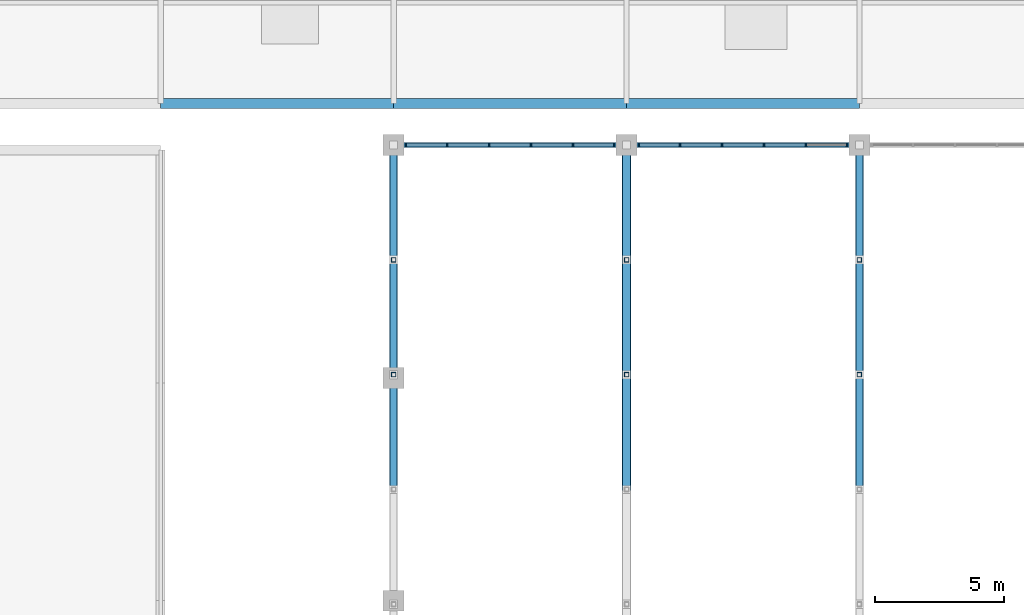
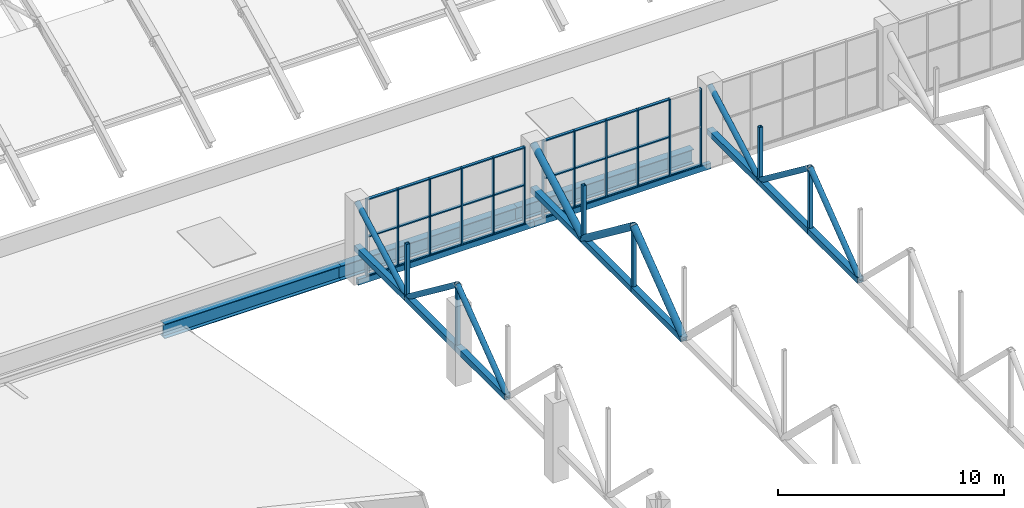
# One storey, part 21 of 103: 64 members, 5 beams, 2 elements without a shape of their own.
"""IFC4 building model written with IfcOpenShell, lengths in metres."""

from ifc_helpers import new_model, si_unit, direction, frame, origin, origin_2d, place, context, subcontext, project, spatial, rectangle, hollow_rectangle, hollow_circle, i_section, extrude, material, layer, layer_set, material_profile, profile_set, type_object, element, aggregate, save


model = new_model("IFC4")

# Units and contexts
model_context = context("Model", 3, precision=1e-05, world=origin(), true_north=direction((0.0, 1.0)))
body_context = subcontext(model_context, "Body", "Model", "MODEL_VIEW")
ifc_project = project(units=[si_unit("LENGTHUNIT", "METRE"), si_unit("AREAUNIT", "SQUARE_METRE"), si_unit("VOLUMEUNIT", "CUBIC_METRE"), si_unit("PLANEANGLEUNIT", "RADIAN"), si_unit("MASSUNIT", "GRAM", prefix="KILO")], contexts=[model_context])

# Site, building, storey
site_placement = place(None, origin())
site = spatial("IfcSite", under=ifc_project, at=site_placement, CompositionType="ELEMENT")
building_placement = place(site_placement, origin())
building = spatial("IfcBuilding", under=site, at=building_placement, Name="Cazmaro Siding Exhibition Halls", CompositionType="ELEMENT")
storey_placement = place(building_placement, frame((0.0, 0.0, 16.5)))
storey = spatial("IfcBuildingStorey", under=building, at=storey_placement, Name="L03", CompositionType="ELEMENT", Elevation=16.5)

# Curtain wall, members
ifc_material_1 = material(Name="Anodized Bronze Aluminum and Solar-Control Low-E Glazing", Category="aluminium")
ifc_layer = layer(ifc_material_1, 0.159912109375)
ifc_layer_set = layer_set([ifc_layer], Name="Anodized Bronze Aluminum and Solar-Control Low-E Glazing")
curtain_wall_type = type_object("IfcCurtainWallType", Name="CWS-04", PredefinedType="USERDEFINED", material=ifc_layer_set)
curtain_wall_1_placement = place(storey_placement, origin())
curtain_wall_1 = element("IfcCurtainWall", 1, at=curtain_wall_1_placement, inside=storey, type_object=curtain_wall_type, Name="Clerestory Curtain Wall CWS-04 CW-081", ObjectType="CLERESTORY CURTAIN WALL", PredefinedType="USERDEFINED")
ifc_material_2 = material(Name="Anodized Bronze Extruded Aluminum", Category="aluminium")
ifc_material_profile_1 = material_profile(ifc_material_2, rectangle(XDim=0.159912109375, YDim=0.06005859375, at=origin_2d()), Name="CWM-04")
ifc_profile_set_1 = profile_set([ifc_material_profile_1], Name="Anodized Bronze Extruded Aluminum")
member_type_1 = type_object("IfcMemberType", Name="CWM-04", PredefinedType="MULLION", material=ifc_profile_set_1)
member_1_placement = place(storey_placement, frame((80.52490234375, 53.60009765625, 0.0), z_axis=(0.0, 0.0, 1.0), x_axis=(0.0, -1.0, 0.0)))
member_1 = element("IfcMember", 2, at=member_1_placement, type_object=member_type_1, Name="CWS-04 mullion 1", PredefinedType="MULLION", context=body_context, shape_type="SweptSolid", body=[
    extrude(rectangle(XDim=0.159912109375, YDim=0.06005859375, at=origin_2d()), origin(), (0.0, 0.0, 1.0), 4.14990234375),
])
member_2_placement = place(storey_placement, frame((78.93310546875, 53.60009765625, 0.0), z_axis=(0.0, 0.0, 1.0), x_axis=(0.0, -1.0, 0.0)))
member_2 = element("IfcMember", 3, at=member_2_placement, type_object=member_type_1, Name="CWS-04 mullion 2", PredefinedType="MULLION", context=body_context, shape_type="SweptSolid", body=[
    extrude(rectangle(XDim=0.159912109375, YDim=0.06005859375, at=origin_2d()), origin(), (0.0, 0.0, 1.0), 4.14990234375),
])
member_3_placement = place(storey_placement, frame((77.31103515625, 53.60009765625, 0.0), z_axis=(0.0, 0.0, 1.0), x_axis=(0.0, -1.0, 0.0)))
member_3 = element("IfcMember", 4, at=member_3_placement, type_object=member_type_1, Name="CWS-04 mullion 3", PredefinedType="MULLION", context=body_context, shape_type="SweptSolid", body=[
    extrude(rectangle(XDim=0.159912109375, YDim=0.06005859375, at=origin_2d()), origin(), (0.0, 0.0, 1.0), 4.14990234375),
])
member_4_placement = place(storey_placement, frame((75.68896484375, 53.60009765625, 0.0), z_axis=(0.0, 0.0, 1.0), x_axis=(0.0, -1.0, 0.0)))
member_4 = element("IfcMember", 5, at=member_4_placement, type_object=member_type_1, Name="CWS-04 mullion 4", PredefinedType="MULLION", context=body_context, shape_type="SweptSolid", body=[
    extrude(rectangle(XDim=0.159912109375, YDim=0.06005859375, at=origin_2d()), origin(), (0.0, 0.0, 1.0), 4.14990234375),
])
member_5_placement = place(storey_placement, frame((74.06689453125, 53.60009765625, 0.0), z_axis=(0.0, 0.0, 1.0), x_axis=(0.0, -1.0, 0.0)))
member_5 = element("IfcMember", 6, at=member_5_placement, type_object=member_type_1, Name="CWS-04 mullion 5", PredefinedType="MULLION", context=body_context, shape_type="SweptSolid", body=[
    extrude(rectangle(XDim=0.159912109375, YDim=0.06005859375, at=origin_2d()), origin(), (0.0, 0.0, 1.0), 4.14990234375),
])
member_6_placement = place(storey_placement, frame((72.47509765625, 53.60009765625, 0.0), z_axis=(0.0, 0.0, 1.0), x_axis=(0.0, -1.0, 0.0)))
member_6 = element("IfcMember", 7, at=member_6_placement, type_object=member_type_1, Name="CWS-04 mullion 6", PredefinedType="MULLION", context=body_context, shape_type="SweptSolid", body=[
    extrude(rectangle(XDim=0.159912109375, YDim=0.06005859375, at=origin_2d()), origin(), (0.0, 0.0, 1.0), 4.14990234375),
])

curtain_wall_2_placement = place(storey_placement, origin())
curtain_wall_2 = element("IfcCurtainWall", 8, at=curtain_wall_2_placement, inside=storey, type_object=curtain_wall_type, Name="Clerestory Curtain Wall CWS-04 CW-083", ObjectType="CLERESTORY CURTAIN WALL", PredefinedType="USERDEFINED")
member_7_placement = place(storey_placement, frame((89.52490234375, 53.60009765625, 0.0), z_axis=(0.0, 0.0, 1.0), x_axis=(0.0, -1.0, 0.0)))
member_7 = element("IfcMember", 9, at=member_7_placement, type_object=member_type_1, Name="CWS-04 mullion 1", PredefinedType="MULLION", context=body_context, shape_type="SweptSolid", body=[
    extrude(rectangle(XDim=0.159912109375, YDim=0.06005859375, at=origin_2d()), origin(), (0.0, 0.0, 1.0), 4.14990234375),
])
member_8_placement = place(storey_placement, frame((87.93310546875, 53.60009765625, 0.0), z_axis=(0.0, 0.0, 1.0), x_axis=(0.0, -1.0, 0.0)))
member_8 = element("IfcMember", 10, at=member_8_placement, type_object=member_type_1, Name="CWS-04 mullion 2", PredefinedType="MULLION", context=body_context, shape_type="SweptSolid", body=[
    extrude(rectangle(XDim=0.159912109375, YDim=0.06005859375, at=origin_2d()), origin(), (0.0, 0.0, 1.0), 4.14990234375),
])
member_9_placement = place(storey_placement, frame((86.31103515625, 53.60009765625, 0.0), z_axis=(0.0, 0.0, 1.0), x_axis=(0.0, -1.0, 0.0)))
member_9 = element("IfcMember", 11, at=member_9_placement, type_object=member_type_1, Name="CWS-04 mullion 3", PredefinedType="MULLION", context=body_context, shape_type="SweptSolid", body=[
    extrude(rectangle(XDim=0.159912109375, YDim=0.06005859375, at=origin_2d()), origin(), (0.0, 0.0, 1.0), 4.14990234375),
])
member_10_placement = place(storey_placement, frame((84.68896484375, 53.60009765625, 0.0), z_axis=(0.0, 0.0, 1.0), x_axis=(0.0, -1.0, 0.0)))
member_10 = element("IfcMember", 12, at=member_10_placement, type_object=member_type_1, Name="CWS-04 mullion 4", PredefinedType="MULLION", context=body_context, shape_type="SweptSolid", body=[
    extrude(rectangle(XDim=0.159912109375, YDim=0.06005859375, at=origin_2d()), origin(), (0.0, 0.0, 1.0), 4.14990234375),
])
member_11_placement = place(storey_placement, frame((83.06689453125, 53.60009765625, 0.0), z_axis=(0.0, 0.0, 1.0), x_axis=(0.0, -1.0, 0.0)))
member_11 = element("IfcMember", 13, at=member_11_placement, type_object=member_type_1, Name="CWS-04 mullion 5", PredefinedType="MULLION", context=body_context, shape_type="SweptSolid", body=[
    extrude(rectangle(XDim=0.159912109375, YDim=0.06005859375, at=origin_2d()), origin(), (0.0, 0.0, 1.0), 4.14990234375),
])
member_12_placement = place(storey_placement, frame((81.47509765625, 53.60009765625, 0.0), z_axis=(0.0, 0.0, 1.0), x_axis=(0.0, -1.0, 0.0)))
member_12 = element("IfcMember", 14, at=member_12_placement, type_object=member_type_1, Name="CWS-04 mullion 6", PredefinedType="MULLION", context=body_context, shape_type="SweptSolid", body=[
    extrude(rectangle(XDim=0.159912109375, YDim=0.06005859375, at=origin_2d()), origin(), (0.0, 0.0, 1.0), 4.14990234375),
])

# Member
ifc_material_3 = material(Name="Anodized Bronze Extruded Aluminum", Category="aluminium")
ifc_material_profile_2 = material_profile(ifc_material_3, rectangle(XDim=0.139892578125, YDim=0.06005859375, at=origin_2d()), Name="CWT-04")
ifc_profile_set_2 = profile_set([ifc_material_profile_2], Name="Anodized Bronze Extruded Aluminum")
member_type_2 = type_object("IfcMemberType", Name="CWT-04", PredefinedType="MULLION", material=ifc_profile_set_2)
member_13_placement = place(storey_placement, frame((80.4951171875, 53.60009765625, 0.030029296875), z_axis=(-1.0, 0.0, 0.0), x_axis=(0.0, -1.0, 0.0)))
member_13 = element("IfcMember", 15, at=member_13_placement, type_object=member_type_2, Name="CWS-04 transom 1.1", ObjectType="TRANSOM", PredefinedType="USERDEFINED", context=body_context, shape_type="SweptSolid", body=[
    extrude(rectangle(XDim=0.139892578125, YDim=0.06005859375, at=origin_2d()), origin(), (0.0, 0.0, 1.0), 1.5322265625),
])

member_14_placement = place(storey_placement, frame((80.4951171875, 53.60009765625, 2.10009765625), z_axis=(-1.0, 0.0, 0.0), x_axis=(0.0, -1.0, 0.0)))
member_14 = element("IfcMember", 16, at=member_14_placement, type_object=member_type_2, Name="CWS-04 transom 1.2", ObjectType="TRANSOM", PredefinedType="USERDEFINED", context=body_context, shape_type="SweptSolid", body=[
    extrude(rectangle(XDim=0.139892578125, YDim=0.06005859375, at=origin_2d()), origin(), (0.0, 0.0, 1.0), 1.5322265625),
])

member_15_placement = place(storey_placement, frame((80.4951171875, 53.60009765625, 4.1201171875), z_axis=(-1.0, 0.0, 0.0), x_axis=(0.0, -1.0, 0.0)))
member_15 = element("IfcMember", 17, at=member_15_placement, type_object=member_type_2, Name="CWS-04 transom 1.3", ObjectType="TRANSOM", PredefinedType="USERDEFINED", context=body_context, shape_type="SweptSolid", body=[
    extrude(rectangle(XDim=0.139892578125, YDim=0.06005859375, at=origin_2d()), origin(), (0.0, 0.0, 1.0), 1.5322265625),
])

member_16_placement = place(storey_placement, frame((78.903076171875, 53.60009765625, 0.030029296875), z_axis=(-1.0, 0.0, 0.0), x_axis=(0.0, -1.0, 0.0)))
member_16 = element("IfcMember", 18, at=member_16_placement, type_object=member_type_2, Name="CWS-04 transom 2.1", ObjectType="TRANSOM", PredefinedType="USERDEFINED", context=body_context, shape_type="SweptSolid", body=[
    extrude(rectangle(XDim=0.139892578125, YDim=0.06005859375, at=origin_2d()), origin(), (0.0, 0.0, 1.0), 1.56201171875),
])

member_17_placement = place(storey_placement, frame((78.903076171875, 53.60009765625, 2.10009765625), z_axis=(-1.0, 0.0, 0.0), x_axis=(0.0, -1.0, 0.0)))
member_17 = element("IfcMember", 19, at=member_17_placement, type_object=member_type_2, Name="CWS-04 transom 2.2", ObjectType="TRANSOM", PredefinedType="USERDEFINED", context=body_context, shape_type="SweptSolid", body=[
    extrude(rectangle(XDim=0.139892578125, YDim=0.06005859375, at=origin_2d()), origin(), (0.0, 0.0, 1.0), 1.56201171875),
])

member_18_placement = place(storey_placement, frame((78.903076171875, 53.60009765625, 4.1201171875), z_axis=(-1.0, 0.0, 0.0), x_axis=(0.0, -1.0, 0.0)))
member_18 = element("IfcMember", 20, at=member_18_placement, type_object=member_type_2, Name="CWS-04 transom 2.3", ObjectType="TRANSOM", PredefinedType="USERDEFINED", context=body_context, shape_type="SweptSolid", body=[
    extrude(rectangle(XDim=0.139892578125, YDim=0.06005859375, at=origin_2d()), origin(), (0.0, 0.0, 1.0), 1.56201171875),
])

member_19_placement = place(storey_placement, frame((77.281005859375, 53.60009765625, 0.030029296875), z_axis=(-1.0, 0.0, 0.0), x_axis=(0.0, -1.0, 0.0)))
member_19 = element("IfcMember", 21, at=member_19_placement, type_object=member_type_2, Name="CWS-04 transom 3.1", ObjectType="TRANSOM", PredefinedType="USERDEFINED", context=body_context, shape_type="SweptSolid", body=[
    extrude(rectangle(XDim=0.139892578125, YDim=0.06005859375, at=origin_2d()), origin(), (0.0, 0.0, 1.0), 1.56201171875),
])

member_20_placement = place(storey_placement, frame((77.281005859375, 53.60009765625, 2.10009765625), z_axis=(-1.0, 0.0, 0.0), x_axis=(0.0, -1.0, 0.0)))
member_20 = element("IfcMember", 22, at=member_20_placement, type_object=member_type_2, Name="CWS-04 transom 3.2", ObjectType="TRANSOM", PredefinedType="USERDEFINED", context=body_context, shape_type="SweptSolid", body=[
    extrude(rectangle(XDim=0.139892578125, YDim=0.06005859375, at=origin_2d()), origin(), (0.0, 0.0, 1.0), 1.56201171875),
])

member_21_placement = place(storey_placement, frame((77.281005859375, 53.60009765625, 4.1201171875), z_axis=(-1.0, 0.0, 0.0), x_axis=(0.0, -1.0, 0.0)))
member_21 = element("IfcMember", 23, at=member_21_placement, type_object=member_type_2, Name="CWS-04 transom 3.3", ObjectType="TRANSOM", PredefinedType="USERDEFINED", context=body_context, shape_type="SweptSolid", body=[
    extrude(rectangle(XDim=0.139892578125, YDim=0.06005859375, at=origin_2d()), origin(), (0.0, 0.0, 1.0), 1.56201171875),
])

member_22_placement = place(storey_placement, frame((75.658935546875, 53.60009765625, 0.030029296875), z_axis=(-1.0, 0.0, 0.0), x_axis=(0.0, -1.0, 0.0)))
member_22 = element("IfcMember", 24, at=member_22_placement, type_object=member_type_2, Name="CWS-04 transom 4.1", ObjectType="TRANSOM", PredefinedType="USERDEFINED", context=body_context, shape_type="SweptSolid", body=[
    extrude(rectangle(XDim=0.139892578125, YDim=0.06005859375, at=origin_2d()), origin(), (0.0, 0.0, 1.0), 1.56201171875),
])

member_23_placement = place(storey_placement, frame((75.658935546875, 53.60009765625, 2.10009765625), z_axis=(-1.0, 0.0, 0.0), x_axis=(0.0, -1.0, 0.0)))
member_23 = element("IfcMember", 25, at=member_23_placement, type_object=member_type_2, Name="CWS-04 transom 4.2", ObjectType="TRANSOM", PredefinedType="USERDEFINED", context=body_context, shape_type="SweptSolid", body=[
    extrude(rectangle(XDim=0.139892578125, YDim=0.06005859375, at=origin_2d()), origin(), (0.0, 0.0, 1.0), 1.56201171875),
])

member_24_placement = place(storey_placement, frame((75.658935546875, 53.60009765625, 4.1201171875), z_axis=(-1.0, 0.0, 0.0), x_axis=(0.0, -1.0, 0.0)))
member_24 = element("IfcMember", 26, at=member_24_placement, type_object=member_type_2, Name="CWS-04 transom 4.3", ObjectType="TRANSOM", PredefinedType="USERDEFINED", context=body_context, shape_type="SweptSolid", body=[
    extrude(rectangle(XDim=0.139892578125, YDim=0.06005859375, at=origin_2d()), origin(), (0.0, 0.0, 1.0), 1.56201171875),
])

member_25_placement = place(storey_placement, frame((74.037109375, 53.60009765625, 0.030029296875), z_axis=(-1.0, 0.0, 0.0), x_axis=(0.0, -1.0, 0.0)))
member_25 = element("IfcMember", 27, at=member_25_placement, type_object=member_type_2, Name="CWS-04 transom 5.1", ObjectType="TRANSOM", PredefinedType="USERDEFINED", context=body_context, shape_type="SweptSolid", body=[
    extrude(rectangle(XDim=0.139892578125, YDim=0.06005859375, at=origin_2d()), origin(), (0.0, 0.0, 1.0), 1.5322265625),
])

member_26_placement = place(storey_placement, frame((74.037109375, 53.60009765625, 2.10009765625), z_axis=(-1.0, 0.0, 0.0), x_axis=(0.0, -1.0, 0.0)))
member_26 = element("IfcMember", 28, at=member_26_placement, type_object=member_type_2, Name="CWS-04 transom 5.2", ObjectType="TRANSOM", PredefinedType="USERDEFINED", context=body_context, shape_type="SweptSolid", body=[
    extrude(rectangle(XDim=0.139892578125, YDim=0.06005859375, at=origin_2d()), origin(), (0.0, 0.0, 1.0), 1.5322265625),
])

member_27_placement = place(storey_placement, frame((74.037109375, 53.60009765625, 4.1201171875), z_axis=(-1.0, 0.0, 0.0), x_axis=(0.0, -1.0, 0.0)))
member_27 = element("IfcMember", 29, at=member_27_placement, type_object=member_type_2, Name="CWS-04 transom 5.3", ObjectType="TRANSOM", PredefinedType="USERDEFINED", context=body_context, shape_type="SweptSolid", body=[
    extrude(rectangle(XDim=0.139892578125, YDim=0.06005859375, at=origin_2d()), origin(), (0.0, 0.0, 1.0), 1.5322265625),
])

aggregate(curtain_wall_1, [member_1, member_2, member_3, member_4, member_5, member_6, member_13, member_14, member_15, member_16, member_17, member_18, member_19, member_20, member_21, member_22, member_23, member_24, member_25, member_26, member_27])

member_28_placement = place(storey_placement, frame((89.4951171875, 53.60009765625, 0.030029296875), z_axis=(-1.0, 0.0, 0.0), x_axis=(0.0, -1.0, 0.0)))
member_28 = element("IfcMember", 30, at=member_28_placement, type_object=member_type_2, Name="CWS-04 transom 1.1", ObjectType="TRANSOM", PredefinedType="USERDEFINED", context=body_context, shape_type="SweptSolid", body=[
    extrude(rectangle(XDim=0.139892578125, YDim=0.06005859375, at=origin_2d()), origin(), (0.0, 0.0, 1.0), 1.5322265625),
])

member_29_placement = place(storey_placement, frame((87.903076171875, 53.60009765625, 0.030029296875), z_axis=(-1.0, 0.0, 0.0), x_axis=(0.0, -1.0, 0.0)))
member_29 = element("IfcMember", 31, at=member_29_placement, type_object=member_type_2, Name="CWS-04 transom 2.1", ObjectType="TRANSOM", PredefinedType="USERDEFINED", context=body_context, shape_type="SweptSolid", body=[
    extrude(rectangle(XDim=0.139892578125, YDim=0.06005859375, at=origin_2d()), origin(), (0.0, 0.0, 1.0), 1.56201171875),
])

member_30_placement = place(storey_placement, frame((87.903076171875, 53.60009765625, 2.10009765625), z_axis=(-1.0, 0.0, 0.0), x_axis=(0.0, -1.0, 0.0)))
member_30 = element("IfcMember", 32, at=member_30_placement, type_object=member_type_2, Name="CWS-04 transom 2.2", ObjectType="TRANSOM", PredefinedType="USERDEFINED", context=body_context, shape_type="SweptSolid", body=[
    extrude(rectangle(XDim=0.139892578125, YDim=0.06005859375, at=origin_2d()), origin(), (0.0, 0.0, 1.0), 1.56201171875),
])

member_31_placement = place(storey_placement, frame((87.903076171875, 53.60009765625, 4.1201171875), z_axis=(-1.0, 0.0, 0.0), x_axis=(0.0, -1.0, 0.0)))
member_31 = element("IfcMember", 33, at=member_31_placement, type_object=member_type_2, Name="CWS-04 transom 2.3", ObjectType="TRANSOM", PredefinedType="USERDEFINED", context=body_context, shape_type="SweptSolid", body=[
    extrude(rectangle(XDim=0.139892578125, YDim=0.06005859375, at=origin_2d()), origin(), (0.0, 0.0, 1.0), 1.56201171875),
])

member_32_placement = place(storey_placement, frame((86.281005859375, 53.60009765625, 0.030029296875), z_axis=(-1.0, 0.0, 0.0), x_axis=(0.0, -1.0, 0.0)))
member_32 = element("IfcMember", 34, at=member_32_placement, type_object=member_type_2, Name="CWS-04 transom 3.1", ObjectType="TRANSOM", PredefinedType="USERDEFINED", context=body_context, shape_type="SweptSolid", body=[
    extrude(rectangle(XDim=0.139892578125, YDim=0.06005859375, at=origin_2d()), origin(), (0.0, 0.0, 1.0), 1.56201171875),
])

member_33_placement = place(storey_placement, frame((86.281005859375, 53.60009765625, 2.10009765625), z_axis=(-1.0, 0.0, 0.0), x_axis=(0.0, -1.0, 0.0)))
member_33 = element("IfcMember", 35, at=member_33_placement, type_object=member_type_2, Name="CWS-04 transom 3.2", ObjectType="TRANSOM", PredefinedType="USERDEFINED", context=body_context, shape_type="SweptSolid", body=[
    extrude(rectangle(XDim=0.139892578125, YDim=0.06005859375, at=origin_2d()), origin(), (0.0, 0.0, 1.0), 1.56201171875),
])

member_34_placement = place(storey_placement, frame((86.281005859375, 53.60009765625, 4.1201171875), z_axis=(-1.0, 0.0, 0.0), x_axis=(0.0, -1.0, 0.0)))
member_34 = element("IfcMember", 36, at=member_34_placement, type_object=member_type_2, Name="CWS-04 transom 3.3", ObjectType="TRANSOM", PredefinedType="USERDEFINED", context=body_context, shape_type="SweptSolid", body=[
    extrude(rectangle(XDim=0.139892578125, YDim=0.06005859375, at=origin_2d()), origin(), (0.0, 0.0, 1.0), 1.56201171875),
])

member_35_placement = place(storey_placement, frame((84.658935546875, 53.60009765625, 0.030029296875), z_axis=(-1.0, 0.0, 0.0), x_axis=(0.0, -1.0, 0.0)))
member_35 = element("IfcMember", 37, at=member_35_placement, type_object=member_type_2, Name="CWS-04 transom 4.1", ObjectType="TRANSOM", PredefinedType="USERDEFINED", context=body_context, shape_type="SweptSolid", body=[
    extrude(rectangle(XDim=0.139892578125, YDim=0.06005859375, at=origin_2d()), origin(), (0.0, 0.0, 1.0), 1.56201171875),
])

member_36_placement = place(storey_placement, frame((84.658935546875, 53.60009765625, 2.10009765625), z_axis=(-1.0, 0.0, 0.0), x_axis=(0.0, -1.0, 0.0)))
member_36 = element("IfcMember", 38, at=member_36_placement, type_object=member_type_2, Name="CWS-04 transom 4.2", ObjectType="TRANSOM", PredefinedType="USERDEFINED", context=body_context, shape_type="SweptSolid", body=[
    extrude(rectangle(XDim=0.139892578125, YDim=0.06005859375, at=origin_2d()), origin(), (0.0, 0.0, 1.0), 1.56201171875),
])

member_37_placement = place(storey_placement, frame((84.658935546875, 53.60009765625, 4.1201171875), z_axis=(-1.0, 0.0, 0.0), x_axis=(0.0, -1.0, 0.0)))
member_37 = element("IfcMember", 39, at=member_37_placement, type_object=member_type_2, Name="CWS-04 transom 4.3", ObjectType="TRANSOM", PredefinedType="USERDEFINED", context=body_context, shape_type="SweptSolid", body=[
    extrude(rectangle(XDim=0.139892578125, YDim=0.06005859375, at=origin_2d()), origin(), (0.0, 0.0, 1.0), 1.56201171875),
])

member_38_placement = place(storey_placement, frame((83.037109375, 53.60009765625, 0.030029296875), z_axis=(-1.0, 0.0, 0.0), x_axis=(0.0, -1.0, 0.0)))
member_38 = element("IfcMember", 40, at=member_38_placement, type_object=member_type_2, Name="CWS-04 transom 5.1", ObjectType="TRANSOM", PredefinedType="USERDEFINED", context=body_context, shape_type="SweptSolid", body=[
    extrude(rectangle(XDim=0.139892578125, YDim=0.06005859375, at=origin_2d()), origin(), (0.0, 0.0, 1.0), 1.5322265625),
])

member_39_placement = place(storey_placement, frame((83.037109375, 53.60009765625, 2.10009765625), z_axis=(-1.0, 0.0, 0.0), x_axis=(0.0, -1.0, 0.0)))
member_39 = element("IfcMember", 41, at=member_39_placement, type_object=member_type_2, Name="CWS-04 transom 5.2", ObjectType="TRANSOM", PredefinedType="USERDEFINED", context=body_context, shape_type="SweptSolid", body=[
    extrude(rectangle(XDim=0.139892578125, YDim=0.06005859375, at=origin_2d()), origin(), (0.0, 0.0, 1.0), 1.5322265625),
])

member_40_placement = place(storey_placement, frame((83.037109375, 53.60009765625, 4.1201171875), z_axis=(-1.0, 0.0, 0.0), x_axis=(0.0, -1.0, 0.0)))
member_40 = element("IfcMember", 42, at=member_40_placement, type_object=member_type_2, Name="CWS-04 transom 5.3", ObjectType="TRANSOM", PredefinedType="USERDEFINED", context=body_context, shape_type="SweptSolid", body=[
    extrude(rectangle(XDim=0.139892578125, YDim=0.06005859375, at=origin_2d()), origin(), (0.0, 0.0, 1.0), 1.5322265625),
])

aggregate(curtain_wall_2, [member_7, member_8, member_9, member_10, member_11, member_12, member_28, member_29, member_30, member_31, member_32, member_33, member_34, member_35, member_36, member_37, member_38, member_39, member_40])

# Beams
ifc_material_4 = material(Name="Steel ASTM A992 Grade 50", Category="steel")
ifc_material_profile_3 = material_profile(ifc_material_4, i_section(OverallWidth=0.381103515625, OverallDepth=0.779052734375, WebThickness=0.01806640625, FlangeThickness=0.030029296875, at=origin_2d()), Name="W30X191")
ifc_profile_set_3 = profile_set([ifc_material_profile_3], Name="Steel ASTM A992 Grade 50")
beam_type_1 = type_object("IfcBeamType", Name="G-04", PredefinedType="USERDEFINED", material=ifc_profile_set_3)
for number, where, z_axis, x_axis, name in (
    (43, (63.0, 55.199951171875, -0.56494140625), (1.0, 0.0, 0.0), (0.0, 1.0, 0.0), "Beam G-04 BM-1598"),
    (44, (72.0, 55.199951171875, -0.56494140625), (1.0, 0.0, 0.0), (0.0, 1.0, 0.0), "Beam G-04 BM-1607"),
    (45, (81.0, 55.199951171875, -0.56494140625), (1.0, 0.0, 0.0), (0.0, 1.0, 0.0), "Beam G-04 BM-1616"),
):
    element("IfcBeam", number, at=place(storey_placement, frame(where, z_axis=z_axis, x_axis=x_axis)), inside=storey, type_object=beam_type_1, Name=name, ObjectType="GIRDER", PredefinedType="USERDEFINED", context=body_context, shape_type="SweptSolid", body=[
        extrude(i_section(OverallWidth=0.381103515625, OverallDepth=0.779052734375, WebThickness=0.01806640625, FlangeThickness=0.030029296875, at=origin_2d()), origin(), (0.0, 0.0, 1.0), 9.0),
    ])
ifc_material_5 = material(Name="Steel ASTM A500 Grade C", Category="steel")
ifc_material_profile_4 = material_profile(ifc_material_5, hollow_rectangle(XDim=0.202880859375, YDim=0.304931640625, WallThickness=0.011962890625, at=origin_2d()), Name="HSS12X8X1/2")
ifc_profile_set_4 = profile_set([ifc_material_profile_4], Name="Steel ASTM A500 Grade C")
beam_type_2 = type_object("IfcBeamType", Name="SP-01", PredefinedType="SPANDREL", material=ifc_profile_set_4)
for number, where, z_axis, x_axis, name in (
    (46, (72.0, 53.60009765625, -0.152099609375), (1.0, 0.0, 0.0), (0.0, 1.0, 0.0), "Beam SP-01 BM-1485"),
    (47, (81.0, 53.60009765625, -0.152099609375), (1.0, 0.0, 0.0), (0.0, 1.0, 0.0), "Beam SP-01 BM-1489"),
):
    element("IfcBeam", number, at=place(storey_placement, frame(where, z_axis=z_axis, x_axis=x_axis)), inside=storey, type_object=beam_type_2, Name=name, PredefinedType="SPANDREL", context=body_context, shape_type="SweptSolid", body=[
        extrude(hollow_rectangle(XDim=0.202880859375, YDim=0.304931640625, WallThickness=0.011962890625, at=origin_2d()), origin(), (0.0, 0.0, 1.0), 9.0),
    ])

# Members
ifc_material_6 = material(Name="Steel ASTM A500 Grade C", Category="steel")
ifc_material_profile_5 = material_profile(ifc_material_6, hollow_rectangle(XDim=0.304931640625, YDim=0.304931640625, WallThickness=0.014892578125, at=origin_2d()), Name="HSS12X12X5/8")
ifc_profile_set_5 = profile_set([ifc_material_profile_5], Name="Steel ASTM A500 Grade C")
member_type_3 = type_object("IfcMemberType", Name="TC-02", PredefinedType="CHORD", material=ifc_profile_set_5)
for number, where, z_axis, x_axis, name in (
    (48, (72.0, 40.294921875, 1.699951171875), (0.0, 1.0, 0.0), (-1.0, 0.0, 0.0), "Warren roof truss bottom chord TC-02 MEM-2324"),
    (49, (72.0, 44.72998046875, 1.699951171875), (0.0, 1.0, 0.0), (-1.0, 0.0, 0.0), "Warren roof truss bottom chord TC-02 MEM-2327"),
    (50, (72.0, 49.1650390625, 1.699951171875), (0.0, 1.0, 0.0), (-1.0, 0.0, 0.0), "Warren roof truss bottom chord TC-02 MEM-2330"),
    (51, (81.0, 40.294921875, 1.699951171875), (0.0, 1.0, 0.0), (-1.0, 0.0, 0.0), "Warren roof truss bottom chord TC-02 MEM-2363"),
    (52, (81.0, 44.72998046875, 1.699951171875), (0.0, 1.0, 0.0), (-1.0, 0.0, 0.0), "Warren roof truss bottom chord TC-02 MEM-2366"),
    (53, (81.0, 49.1650390625, 1.699951171875), (0.0, 1.0, 0.0), (-1.0, 0.0, 0.0), "Warren roof truss bottom chord TC-02 MEM-2369"),
    (54, (90.0, 40.294921875, 1.699951171875), (0.0, 1.0, 0.0), (-1.0, 0.0, 0.0), "Warren roof truss bottom chord TC-02 MEM-2402"),
    (55, (90.0, 44.72998046875, 1.699951171875), (0.0, 1.0, 0.0), (-1.0, 0.0, 0.0), "Warren roof truss bottom chord TC-02 MEM-2405"),
    (56, (90.0, 49.1650390625, 1.699951171875), (0.0, 1.0, 0.0), (-1.0, 0.0, 0.0), "Warren roof truss bottom chord TC-02 MEM-2408"),
):
    element("IfcMember", number, at=place(storey_placement, frame(where, z_axis=z_axis, x_axis=x_axis)), inside=storey, type_object=member_type_3, Name=name, PredefinedType="CHORD", context=body_context, shape_type="SweptSolid", body=[
        extrude(hollow_rectangle(XDim=0.304931640625, YDim=0.304931640625, WallThickness=0.014892578125, at=origin_2d()), origin(), (0.0, 0.0, 1.0), 4.43505859375),
    ])
ifc_material_7 = material(Name="Steel ASTM A500 Grade C", Category="steel")
ifc_material_profile_6 = material_profile(ifc_material_7, hollow_rectangle(XDim=0.177978515625, YDim=0.177978515625, WallThickness=0.011962890625, at=origin_2d()), Name="HSS7X7X1/2")
ifc_profile_set_6 = profile_set([ifc_material_profile_6], Name="Steel ASTM A500 Grade C")
member_type_4 = type_object("IfcMemberType", Name="TP-02", PredefinedType="POST", material=ifc_profile_set_6)
member_41_placement = place(storey_placement, frame((72.0, 44.72998046875, 1.699951171875), z_axis=(0.0, 0.0, 1.0), x_axis=(1.0, 0.0, 0.0)))
element("IfcMember", 57, at=member_41_placement, inside=storey, type_object=member_type_4, Name="Warren roof truss vertical TP-02 MEM-2339", PredefinedType="POST", context=body_context, shape_type="SweptSolid", body=[
    extrude(hollow_rectangle(XDim=0.177978515625, YDim=0.177978515625, WallThickness=0.011962890625, at=origin_2d()), origin(), (0.0, 0.0, 1.0), 3.373046875),
])
member_42_placement = place(storey_placement, frame((72.0, 49.1650390625, 1.699951171875), z_axis=(0.0, 0.0, 1.0), x_axis=(1.0, 0.0, 0.0)))
element("IfcMember", 58, at=member_42_placement, inside=storey, type_object=member_type_4, Name="Warren roof truss vertical TP-02 MEM-2340", PredefinedType="POST", context=body_context, shape_type="SweptSolid", body=[
    extrude(hollow_rectangle(XDim=0.177978515625, YDim=0.177978515625, WallThickness=0.011962890625, at=origin_2d()), origin(), (0.0, 0.0, 1.0), 2.906005859375),
])
member_43_placement = place(storey_placement, frame((81.0, 44.72998046875, 1.699951171875), z_axis=(0.0, 0.0, 1.0), x_axis=(1.0, 0.0, 0.0)))
element("IfcMember", 59, at=member_43_placement, inside=storey, type_object=member_type_4, Name="Warren roof truss vertical TP-02 MEM-2378", PredefinedType="POST", context=body_context, shape_type="SweptSolid", body=[
    extrude(hollow_rectangle(XDim=0.177978515625, YDim=0.177978515625, WallThickness=0.011962890625, at=origin_2d()), origin(), (0.0, 0.0, 1.0), 3.373046875),
])
member_44_placement = place(storey_placement, frame((81.0, 49.1650390625, 1.699951171875), z_axis=(0.0, 0.0, 1.0), x_axis=(1.0, 0.0, 0.0)))
element("IfcMember", 60, at=member_44_placement, inside=storey, type_object=member_type_4, Name="Warren roof truss vertical TP-02 MEM-2379", PredefinedType="POST", context=body_context, shape_type="SweptSolid", body=[
    extrude(hollow_rectangle(XDim=0.177978515625, YDim=0.177978515625, WallThickness=0.011962890625, at=origin_2d()), origin(), (0.0, 0.0, 1.0), 2.906005859375),
])
member_45_placement = place(storey_placement, frame((90.0, 44.72998046875, 1.699951171875), z_axis=(0.0, 0.0, 1.0), x_axis=(1.0, 0.0, 0.0)))
element("IfcMember", 61, at=member_45_placement, inside=storey, type_object=member_type_4, Name="Warren roof truss vertical TP-02 MEM-2417", PredefinedType="POST", context=body_context, shape_type="SweptSolid", body=[
    extrude(hollow_rectangle(XDim=0.177978515625, YDim=0.177978515625, WallThickness=0.011962890625, at=origin_2d()), origin(), (0.0, 0.0, 1.0), 3.373046875),
])
member_46_placement = place(storey_placement, frame((90.0, 49.1650390625, 1.699951171875), z_axis=(0.0, 0.0, 1.0), x_axis=(1.0, 0.0, 0.0)))
element("IfcMember", 62, at=member_46_placement, inside=storey, type_object=member_type_4, Name="Warren roof truss vertical TP-02 MEM-2418", PredefinedType="POST", context=body_context, shape_type="SweptSolid", body=[
    extrude(hollow_rectangle(XDim=0.177978515625, YDim=0.177978515625, WallThickness=0.011962890625, at=origin_2d()), origin(), (0.0, 0.0, 1.0), 2.906005859375),
])
ifc_material_8 = material(Name="Steel ASTM A500 Grade C", Category="steel")
ifc_material_profile_7 = material_profile(ifc_material_8, hollow_circle(Radius=0.136474609375, WallThickness=0.012939453125, at=origin_2d()), Name="PIPE10XS")
ifc_profile_set_7 = profile_set([ifc_material_profile_7], Name="Steel ASTM A500 Grade C")
member_type_5 = type_object("IfcMemberType", Name="WB-02", PredefinedType="BRACE", material=ifc_profile_set_7)
for number, where, z_axis, x_axis, name in (
    (63, (72.0, 40.294921875, 1.699951171875), (0.0, 0.795954445209, 0.605356524002), (-1.0, 0.0, 0.0), "Warren roof truss diagonal WB-02 MEM-2325"),
    (64, (72.0, 44.72998046875, 5.072998046875), (0.0, 0.795954445209, -0.605356524002), (-1.0, 0.0, 0.0), "Warren roof truss diagonal WB-02 MEM-2328"),
):
    element("IfcMember", number, at=place(storey_placement, frame(where, z_axis=z_axis, x_axis=x_axis)), inside=storey, type_object=member_type_5, Name=name, PredefinedType="BRACE", context=body_context, shape_type="SweptSolid", body=[
        extrude(hollow_circle(Radius=0.136474609375, WallThickness=0.012939453125, at=origin_2d()), origin(), (0.0, 0.0, 1.0), 5.572021484375),
    ])
member_47_placement = place(storey_placement, frame((72.0, 49.1650390625, 1.699951171875), z_axis=(0.0, 0.876160914294, 0.482018726051), x_axis=(-1.0, 0.0, 0.0)))
element("IfcMember", 65, at=member_47_placement, inside=storey, type_object=member_type_5, Name="Warren roof truss diagonal WB-02 MEM-2331", PredefinedType="BRACE", context=body_context, shape_type="SweptSolid", body=[
    extrude(hollow_circle(Radius=0.136474609375, WallThickness=0.012939453125, at=origin_2d()), origin(), (0.0, 0.0, 1.0), 5.06201171875),
])
for number, where, z_axis, x_axis, name in (
    (66, (90.0, 40.294921875, 1.699951171875), (0.0, 0.795954445209, 0.605356524002), (-1.0, 0.0, 0.0), "Warren roof truss diagonal WB-02 MEM-2403"),
    (67, (90.0, 44.72998046875, 5.072998046875), (0.0, 0.795954445209, -0.605356524002), (-1.0, 0.0, 0.0), "Warren roof truss diagonal WB-02 MEM-2406"),
):
    element("IfcMember", number, at=place(storey_placement, frame(where, z_axis=z_axis, x_axis=x_axis)), inside=storey, type_object=member_type_5, Name=name, PredefinedType="BRACE", context=body_context, shape_type="SweptSolid", body=[
        extrude(hollow_circle(Radius=0.136474609375, WallThickness=0.012939453125, at=origin_2d()), origin(), (0.0, 0.0, 1.0), 5.572021484375),
    ])
member_48_placement = place(storey_placement, frame((90.0, 49.1650390625, 1.699951171875), z_axis=(0.0, 0.876160914294, 0.482018726051), x_axis=(-1.0, 0.0, 0.0)))
element("IfcMember", 68, at=member_48_placement, inside=storey, type_object=member_type_5, Name="Warren roof truss diagonal WB-02 MEM-2409", PredefinedType="BRACE", context=body_context, shape_type="SweptSolid", body=[
    extrude(hollow_circle(Radius=0.136474609375, WallThickness=0.012939453125, at=origin_2d()), origin(), (0.0, 0.0, 1.0), 5.06201171875),
])
ifc_material_9 = material(Name="Steel ASTM A500 Grade C", Category="steel")
ifc_material_profile_8 = material_profile(ifc_material_9, hollow_circle(Radius=0.177978515625, WallThickness=0.012939453125, at=origin_2d()), Name="PIPE14XS")
ifc_profile_set_8 = profile_set([ifc_material_profile_8], Name="Steel ASTM A500 Grade C")
member_type_6 = type_object("IfcMemberType", Name="WB-06", PredefinedType="BRACE", material=ifc_profile_set_8)
for number, where, z_axis, x_axis, name in (
    (69, (81.0, 40.294921875, 1.699951171875), (0.0, 0.795954445209, 0.605356524002), (-1.0, 0.0, 0.0), "Warren roof truss diagonal WB-06 MEM-2364"),
    (70, (81.0, 44.72998046875, 5.072998046875), (0.0, 0.795954445209, -0.605356524002), (-1.0, 0.0, 0.0), "Warren roof truss diagonal WB-06 MEM-2367"),
):
    element("IfcMember", number, at=place(storey_placement, frame(where, z_axis=z_axis, x_axis=x_axis)), inside=storey, type_object=member_type_6, Name=name, PredefinedType="BRACE", context=body_context, shape_type="SweptSolid", body=[
        extrude(hollow_circle(Radius=0.177978515625, WallThickness=0.012939453125, at=origin_2d()), origin(), (0.0, 0.0, 1.0), 5.572021484375),
    ])
member_49_placement = place(storey_placement, frame((81.0, 49.1650390625, 1.699951171875), z_axis=(0.0, 0.876160914294, 0.482018726051), x_axis=(-1.0, 0.0, 0.0)))
element("IfcMember", 71, at=member_49_placement, inside=storey, type_object=member_type_6, Name="Warren roof truss diagonal WB-06 MEM-2370", PredefinedType="BRACE", context=body_context, shape_type="SweptSolid", body=[
    extrude(hollow_circle(Radius=0.177978515625, WallThickness=0.012939453125, at=origin_2d()), origin(), (0.0, 0.0, 1.0), 5.06201171875),
])

save(model, "model.ifc")
